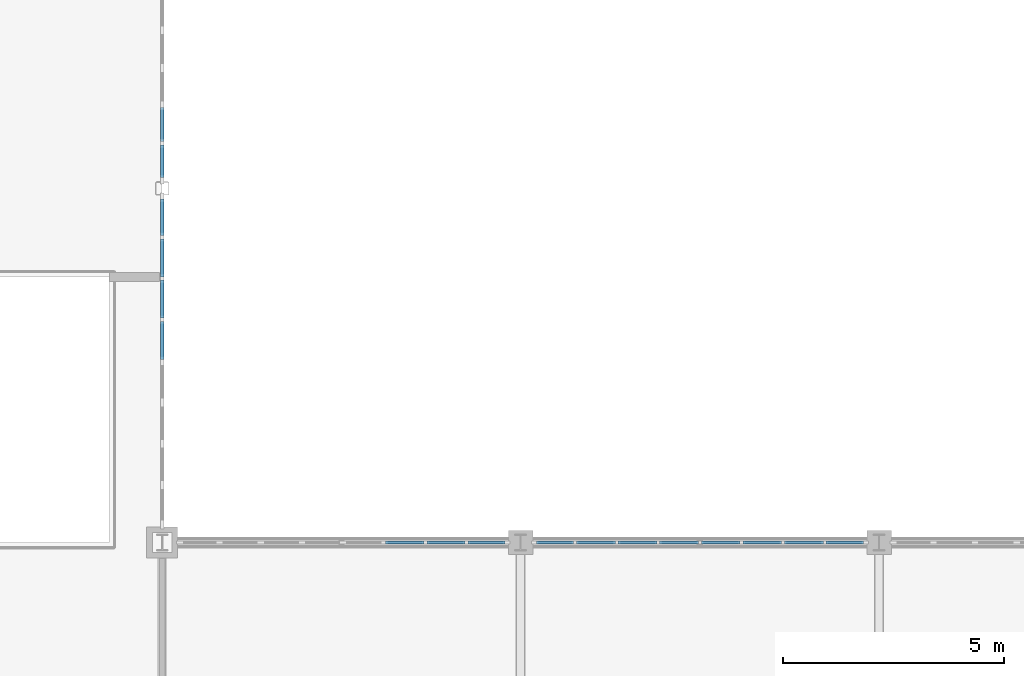
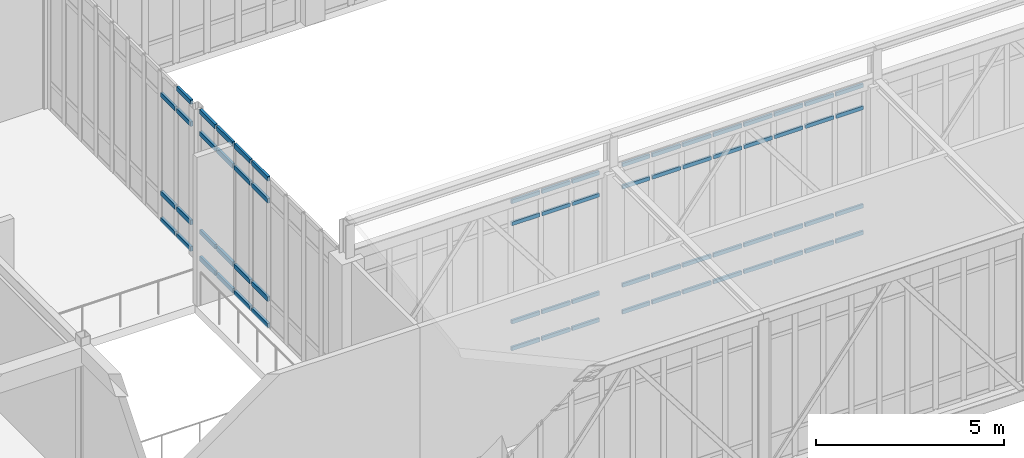
# One storey, part 54 of 107: 67 members, 4 elements without a shape of their own.
"""IFC4 building model written with IfcOpenShell, lengths in metres."""

from ifc_helpers import new_model, si_unit, direction, frame, origin, origin_2d, place, context, subcontext, project, spatial, rectangle, extrude, material, material_profile, profile_set, type_object, element, aggregate, save


model = new_model("IFC4")

# Units and contexts
model_context = context("Model", 3, precision=1e-05, world=origin(), true_north=direction((0.0, 1.0)))
body_context = subcontext(model_context, "Body", "Model", "MODEL_VIEW")
ifc_project = project(units=[si_unit("LENGTHUNIT", "METRE"), si_unit("AREAUNIT", "SQUARE_METRE"), si_unit("VOLUMEUNIT", "CUBIC_METRE"), si_unit("PLANEANGLEUNIT", "RADIAN"), si_unit("MASSUNIT", "GRAM", prefix="KILO")], contexts=[model_context])

# Site, building, storey
site_placement = place(None, origin())
site = spatial("IfcSite", under=ifc_project, at=site_placement, CompositionType="ELEMENT")
building_placement = place(site_placement, origin())
building = spatial("IfcBuilding", under=site, at=building_placement, Name="Tarnveldt Square Police Headquarters", CompositionType="ELEMENT")
storey_placement = place(building_placement, frame((0.0, 0.0, 14.699951171875)))
storey = spatial("IfcBuildingStorey", under=building, at=storey_placement, Name="L03", CompositionType="ELEMENT", Elevation=14.699951171875)

# Curtain wall, members
ifc_material_1 = material(Name="Triple-glazed low-e laminated vision glass", Category="glass")
curtain_wall_type_1 = type_object("IfcCurtainWallType", Name="CW-SB-744x484", PredefinedType="USERDEFINED", material=ifc_material_1)
curtain_wall_1_placement = place(storey_placement, origin())
curtain_wall_1 = element("IfcCurtainWall", 1, at=curtain_wall_1_placement, inside=storey, type_object=curtain_wall_type_1, Name="L03 Curtain Wall CW-L03-159", ObjectType="GLAZED CURTAIN WALL", PredefinedType="USERDEFINED")
ifc_material_2 = material(Name="Thermally broken anodised aluminium 6063-T6", Category="aluminium")
ifc_material_profile_1 = material_profile(ifc_material_2, rectangle(XDim=0.06494140625, YDim=0.1201171875, at=origin_2d()), Name="CW-T65x120")
ifc_profile_set_1 = profile_set([ifc_material_profile_1], Name="Thermally broken anodised aluminium 6063-T6")
member_type_1 = type_object("IfcMemberType", Name="CWT-65x120", PredefinedType="USERDEFINED", material=ifc_profile_set_1)
member_1_placement = place(storey_placement, frame((53.650634765625, 80.0, 0.032470703125), z_axis=(1.0, 0.0, 0.0), x_axis=(0.0, 1.0, 0.0)))
member_1 = element("IfcMember", 2, at=member_1_placement, type_object=member_type_1, Name="CW-SB94 transom 6.1", ObjectType="TRANSOM", PredefinedType="USERDEFINED", context=body_context, shape_type="SweptSolid", body=[
    extrude(rectangle(XDim=0.06494140625, YDim=0.1201171875, at=origin_2d()), origin(), (0.0, 0.0, 1.0), 0.86572265625),
])
member_2_placement = place(storey_placement, frame((53.650634765625, 80.0, 0.900146484375), z_axis=(1.0, 0.0, 0.0), x_axis=(0.0, 1.0, 0.0)))
member_2 = element("IfcMember", 3, at=member_2_placement, type_object=member_type_1, Name="CW-SB94 transom 6.2", ObjectType="TRANSOM", PredefinedType="USERDEFINED", context=body_context, shape_type="SweptSolid", body=[
    extrude(rectangle(XDim=0.06494140625, YDim=0.1201171875, at=origin_2d()), origin(), (0.0, 0.0, 1.0), 0.86572265625),
])
member_3_placement = place(storey_placement, frame((53.650634765625, 80.0, 4.090087890625), z_axis=(1.0, 0.0, 0.0), x_axis=(0.0, 1.0, 0.0)))
member_3 = element("IfcMember", 4, at=member_3_placement, type_object=member_type_1, Name="CW-SB94 transom 6.3", ObjectType="TRANSOM", PredefinedType="USERDEFINED", context=body_context, shape_type="SweptSolid", body=[
    extrude(rectangle(XDim=0.06494140625, YDim=0.1201171875, at=origin_2d()), origin(), (0.0, 0.0, 1.0), 0.86572265625),
])
member_4_placement = place(storey_placement, frame((53.650634765625, 80.0, 4.8076171875), z_axis=(1.0, 0.0, 0.0), x_axis=(0.0, 1.0, 0.0)))
member_4 = element("IfcMember", 5, at=member_4_placement, type_object=member_type_1, Name="CW-SB94 transom 6.4", ObjectType="TRANSOM", PredefinedType="USERDEFINED", context=body_context, shape_type="SweptSolid", body=[
    extrude(rectangle(XDim=0.06494140625, YDim=0.1201171875, at=origin_2d()), origin(), (0.0, 0.0, 1.0), 0.86572265625),
])
member_5_placement = place(storey_placement, frame((54.581298828125, 80.0, 0.032470703125), z_axis=(1.0, 0.0, 0.0), x_axis=(0.0, 1.0, 0.0)))
member_5 = element("IfcMember", 6, at=member_5_placement, type_object=member_type_1, Name="CW-SB94 transom 7.1", ObjectType="TRANSOM", PredefinedType="USERDEFINED", context=body_context, shape_type="SweptSolid", body=[
    extrude(rectangle(XDim=0.06494140625, YDim=0.1201171875, at=origin_2d()), origin(), (0.0, 0.0, 1.0), 0.865478515625),
])
member_6_placement = place(storey_placement, frame((54.581298828125, 80.0, 0.900146484375), z_axis=(1.0, 0.0, 0.0), x_axis=(0.0, 1.0, 0.0)))
member_6 = element("IfcMember", 7, at=member_6_placement, type_object=member_type_1, Name="CW-SB94 transom 7.2", ObjectType="TRANSOM", PredefinedType="USERDEFINED", context=body_context, shape_type="SweptSolid", body=[
    extrude(rectangle(XDim=0.06494140625, YDim=0.1201171875, at=origin_2d()), origin(), (0.0, 0.0, 1.0), 0.865478515625),
])
member_7_placement = place(storey_placement, frame((54.581298828125, 80.0, 4.090087890625), z_axis=(1.0, 0.0, 0.0), x_axis=(0.0, 1.0, 0.0)))
member_7 = element("IfcMember", 8, at=member_7_placement, type_object=member_type_1, Name="CW-SB94 transom 7.3", ObjectType="TRANSOM", PredefinedType="USERDEFINED", context=body_context, shape_type="SweptSolid", body=[
    extrude(rectangle(XDim=0.06494140625, YDim=0.1201171875, at=origin_2d()), origin(), (0.0, 0.0, 1.0), 0.865478515625),
])
member_8_placement = place(storey_placement, frame((54.581298828125, 80.0, 4.8076171875), z_axis=(1.0, 0.0, 0.0), x_axis=(0.0, 1.0, 0.0)))
member_8 = element("IfcMember", 9, at=member_8_placement, type_object=member_type_1, Name="CW-SB94 transom 7.4", ObjectType="TRANSOM", PredefinedType="USERDEFINED", context=body_context, shape_type="SweptSolid", body=[
    extrude(rectangle(XDim=0.06494140625, YDim=0.1201171875, at=origin_2d()), origin(), (0.0, 0.0, 1.0), 0.865478515625),
])
member_9_placement = place(storey_placement, frame((55.511962890625, 80.0, 0.032470703125), z_axis=(1.0, 0.0, 0.0), x_axis=(0.0, 1.0, 0.0)))
member_9 = element("IfcMember", 10, at=member_9_placement, type_object=member_type_1, Name="CW-SB94 transom 8.1", ObjectType="TRANSOM", PredefinedType="USERDEFINED", context=body_context, shape_type="SweptSolid", body=[
    extrude(rectangle(XDim=0.06494140625, YDim=0.1201171875, at=origin_2d()), origin(), (0.0, 0.0, 1.0), 0.8330078125),
])
member_10_placement = place(storey_placement, frame((55.511962890625, 80.0, 0.900146484375), z_axis=(1.0, 0.0, 0.0), x_axis=(0.0, 1.0, 0.0)))
member_10 = element("IfcMember", 11, at=member_10_placement, type_object=member_type_1, Name="CW-SB94 transom 8.2", ObjectType="TRANSOM", PredefinedType="USERDEFINED", context=body_context, shape_type="SweptSolid", body=[
    extrude(rectangle(XDim=0.06494140625, YDim=0.1201171875, at=origin_2d()), origin(), (0.0, 0.0, 1.0), 0.8330078125),
])
member_11_placement = place(storey_placement, frame((55.511962890625, 80.0, 4.090087890625), z_axis=(1.0, 0.0, 0.0), x_axis=(0.0, 1.0, 0.0)))
member_11 = element("IfcMember", 12, at=member_11_placement, type_object=member_type_1, Name="CW-SB94 transom 8.3", ObjectType="TRANSOM", PredefinedType="USERDEFINED", context=body_context, shape_type="SweptSolid", body=[
    extrude(rectangle(XDim=0.06494140625, YDim=0.1201171875, at=origin_2d()), origin(), (0.0, 0.0, 1.0), 0.8330078125),
])
member_12_placement = place(storey_placement, frame((55.511962890625, 80.0, 4.8076171875), z_axis=(1.0, 0.0, 0.0), x_axis=(0.0, 1.0, 0.0)))
member_12 = element("IfcMember", 13, at=member_12_placement, type_object=member_type_1, Name="CW-SB94 transom 8.4", ObjectType="TRANSOM", PredefinedType="USERDEFINED", context=body_context, shape_type="SweptSolid", body=[
    extrude(rectangle(XDim=0.06494140625, YDim=0.1201171875, at=origin_2d()), origin(), (0.0, 0.0, 1.0), 0.8330078125),
])
aggregate(curtain_wall_1, [member_1, member_2, member_3, member_4, member_5, member_6, member_7, member_8, member_9, member_10, member_11, member_12])

curtain_wall_type_2 = type_object("IfcCurtainWallType", Name="CW-SB-752x484", PredefinedType="USERDEFINED", material=ifc_material_1)
curtain_wall_2_placement = place(storey_placement, origin())
curtain_wall_2 = element("IfcCurtainWall", 14, at=curtain_wall_2_placement, inside=storey, type_object=curtain_wall_type_2, Name="L03 Curtain Wall CW-L03-160", ObjectType="GLAZED CURTAIN WALL", PredefinedType="USERDEFINED")
member_13_placement = place(storey_placement, frame((57.054931640625, 80.0, 0.032470703125), z_axis=(1.0, 0.0, 0.0), x_axis=(0.0, 1.0, 0.0)))
member_13 = element("IfcMember", 15, at=member_13_placement, type_object=member_type_1, Name="CW-SB95 transom 1.1", ObjectType="TRANSOM", PredefinedType="USERDEFINED", context=body_context, shape_type="SweptSolid", body=[
    extrude(rectangle(XDim=0.06494140625, YDim=0.1201171875, at=origin_2d()), origin(), (0.0, 0.0, 1.0), 0.842529296875),
])
member_14_placement = place(storey_placement, frame((57.054931640625, 80.0, 0.900146484375), z_axis=(1.0, 0.0, 0.0), x_axis=(0.0, 1.0, 0.0)))
member_14 = element("IfcMember", 16, at=member_14_placement, type_object=member_type_1, Name="CW-SB95 transom 1.2", ObjectType="TRANSOM", PredefinedType="USERDEFINED", context=body_context, shape_type="SweptSolid", body=[
    extrude(rectangle(XDim=0.06494140625, YDim=0.1201171875, at=origin_2d()), origin(), (0.0, 0.0, 1.0), 0.842529296875),
])
member_15_placement = place(storey_placement, frame((57.054931640625, 80.0, 4.090087890625), z_axis=(1.0, 0.0, 0.0), x_axis=(0.0, 1.0, 0.0)))
member_15 = element("IfcMember", 17, at=member_15_placement, type_object=member_type_1, Name="CW-SB95 transom 1.3", ObjectType="TRANSOM", PredefinedType="USERDEFINED", context=body_context, shape_type="SweptSolid", body=[
    extrude(rectangle(XDim=0.06494140625, YDim=0.1201171875, at=origin_2d()), origin(), (0.0, 0.0, 1.0), 0.842529296875),
])
member_16_placement = place(storey_placement, frame((57.054931640625, 80.0, 4.8076171875), z_axis=(1.0, 0.0, 0.0), x_axis=(0.0, 1.0, 0.0)))
member_16 = element("IfcMember", 18, at=member_16_placement, type_object=member_type_1, Name="CW-SB95 transom 1.4", ObjectType="TRANSOM", PredefinedType="USERDEFINED", context=body_context, shape_type="SweptSolid", body=[
    extrude(rectangle(XDim=0.06494140625, YDim=0.1201171875, at=origin_2d()), origin(), (0.0, 0.0, 1.0), 0.842529296875),
])
member_17_placement = place(storey_placement, frame((57.96240234375, 80.0, 0.032470703125), z_axis=(1.0, 0.0, 0.0), x_axis=(0.0, 1.0, 0.0)))
member_17 = element("IfcMember", 19, at=member_17_placement, type_object=member_type_1, Name="CW-SB95 transom 2.1", ObjectType="TRANSOM", PredefinedType="USERDEFINED", context=body_context, shape_type="SweptSolid", body=[
    extrude(rectangle(XDim=0.06494140625, YDim=0.1201171875, at=origin_2d()), origin(), (0.0, 0.0, 1.0), 0.875),
])
member_18_placement = place(storey_placement, frame((57.96240234375, 80.0, 0.900146484375), z_axis=(1.0, 0.0, 0.0), x_axis=(0.0, 1.0, 0.0)))
member_18 = element("IfcMember", 20, at=member_18_placement, type_object=member_type_1, Name="CW-SB95 transom 2.2", ObjectType="TRANSOM", PredefinedType="USERDEFINED", context=body_context, shape_type="SweptSolid", body=[
    extrude(rectangle(XDim=0.06494140625, YDim=0.1201171875, at=origin_2d()), origin(), (0.0, 0.0, 1.0), 0.875),
])
member_19_placement = place(storey_placement, frame((57.96240234375, 80.0, 4.090087890625), z_axis=(1.0, 0.0, 0.0), x_axis=(0.0, 1.0, 0.0)))
member_19 = element("IfcMember", 21, at=member_19_placement, type_object=member_type_1, Name="CW-SB95 transom 2.3", ObjectType="TRANSOM", PredefinedType="USERDEFINED", context=body_context, shape_type="SweptSolid", body=[
    extrude(rectangle(XDim=0.06494140625, YDim=0.1201171875, at=origin_2d()), origin(), (0.0, 0.0, 1.0), 0.875),
])
member_20_placement = place(storey_placement, frame((57.96240234375, 80.0, 4.8076171875), z_axis=(1.0, 0.0, 0.0), x_axis=(0.0, 1.0, 0.0)))
member_20 = element("IfcMember", 22, at=member_20_placement, type_object=member_type_1, Name="CW-SB95 transom 2.4", ObjectType="TRANSOM", PredefinedType="USERDEFINED", context=body_context, shape_type="SweptSolid", body=[
    extrude(rectangle(XDim=0.06494140625, YDim=0.1201171875, at=origin_2d()), origin(), (0.0, 0.0, 1.0), 0.875),
])
member_21_placement = place(storey_placement, frame((58.902587890625, 80.0, 0.032470703125), z_axis=(1.0, 0.0, 0.0), x_axis=(0.0, 1.0, 0.0)))
member_21 = element("IfcMember", 23, at=member_21_placement, type_object=member_type_1, Name="CW-SB95 transom 3.1", ObjectType="TRANSOM", PredefinedType="USERDEFINED", context=body_context, shape_type="SweptSolid", body=[
    extrude(rectangle(XDim=0.06494140625, YDim=0.1201171875, at=origin_2d()), origin(), (0.0, 0.0, 1.0), 0.875),
])
member_22_placement = place(storey_placement, frame((58.902587890625, 80.0, 0.900146484375), z_axis=(1.0, 0.0, 0.0), x_axis=(0.0, 1.0, 0.0)))
member_22 = element("IfcMember", 24, at=member_22_placement, type_object=member_type_1, Name="CW-SB95 transom 3.2", ObjectType="TRANSOM", PredefinedType="USERDEFINED", context=body_context, shape_type="SweptSolid", body=[
    extrude(rectangle(XDim=0.06494140625, YDim=0.1201171875, at=origin_2d()), origin(), (0.0, 0.0, 1.0), 0.875),
])
member_23_placement = place(storey_placement, frame((58.902587890625, 80.0, 4.090087890625), z_axis=(1.0, 0.0, 0.0), x_axis=(0.0, 1.0, 0.0)))
member_23 = element("IfcMember", 25, at=member_23_placement, type_object=member_type_1, Name="CW-SB95 transom 3.3", ObjectType="TRANSOM", PredefinedType="USERDEFINED", context=body_context, shape_type="SweptSolid", body=[
    extrude(rectangle(XDim=0.06494140625, YDim=0.1201171875, at=origin_2d()), origin(), (0.0, 0.0, 1.0), 0.875),
])
member_24_placement = place(storey_placement, frame((58.902587890625, 80.0, 4.8076171875), z_axis=(1.0, 0.0, 0.0), x_axis=(0.0, 1.0, 0.0)))
member_24 = element("IfcMember", 26, at=member_24_placement, type_object=member_type_1, Name="CW-SB95 transom 3.4", ObjectType="TRANSOM", PredefinedType="USERDEFINED", context=body_context, shape_type="SweptSolid", body=[
    extrude(rectangle(XDim=0.06494140625, YDim=0.1201171875, at=origin_2d()), origin(), (0.0, 0.0, 1.0), 0.875),
])
member_25_placement = place(storey_placement, frame((59.842529296875, 80.0, 0.032470703125), z_axis=(1.0, 0.0, 0.0), x_axis=(0.0, 1.0, 0.0)))
member_25 = element("IfcMember", 27, at=member_25_placement, type_object=member_type_1, Name="CW-SB95 transom 4.1", ObjectType="TRANSOM", PredefinedType="USERDEFINED", context=body_context, shape_type="SweptSolid", body=[
    extrude(rectangle(XDim=0.06494140625, YDim=0.1201171875, at=origin_2d()), origin(), (0.0, 0.0, 1.0), 0.875),
])
member_26_placement = place(storey_placement, frame((59.842529296875, 80.0, 0.900146484375), z_axis=(1.0, 0.0, 0.0), x_axis=(0.0, 1.0, 0.0)))
member_26 = element("IfcMember", 28, at=member_26_placement, type_object=member_type_1, Name="CW-SB95 transom 4.2", ObjectType="TRANSOM", PredefinedType="USERDEFINED", context=body_context, shape_type="SweptSolid", body=[
    extrude(rectangle(XDim=0.06494140625, YDim=0.1201171875, at=origin_2d()), origin(), (0.0, 0.0, 1.0), 0.875),
])
member_27_placement = place(storey_placement, frame((59.842529296875, 80.0, 4.090087890625), z_axis=(1.0, 0.0, 0.0), x_axis=(0.0, 1.0, 0.0)))
member_27 = element("IfcMember", 29, at=member_27_placement, type_object=member_type_1, Name="CW-SB95 transom 4.3", ObjectType="TRANSOM", PredefinedType="USERDEFINED", context=body_context, shape_type="SweptSolid", body=[
    extrude(rectangle(XDim=0.06494140625, YDim=0.1201171875, at=origin_2d()), origin(), (0.0, 0.0, 1.0), 0.875),
])
member_28_placement = place(storey_placement, frame((59.842529296875, 80.0, 4.8076171875), z_axis=(1.0, 0.0, 0.0), x_axis=(0.0, 1.0, 0.0)))
member_28 = element("IfcMember", 30, at=member_28_placement, type_object=member_type_1, Name="CW-SB95 transom 4.4", ObjectType="TRANSOM", PredefinedType="USERDEFINED", context=body_context, shape_type="SweptSolid", body=[
    extrude(rectangle(XDim=0.06494140625, YDim=0.1201171875, at=origin_2d()), origin(), (0.0, 0.0, 1.0), 0.875),
])
member_29_placement = place(storey_placement, frame((60.782470703125, 80.0, 0.032470703125), z_axis=(1.0, 0.0, 0.0), x_axis=(0.0, 1.0, 0.0)))
member_29 = element("IfcMember", 31, at=member_29_placement, type_object=member_type_1, Name="CW-SB95 transom 5.1", ObjectType="TRANSOM", PredefinedType="USERDEFINED", context=body_context, shape_type="SweptSolid", body=[
    extrude(rectangle(XDim=0.06494140625, YDim=0.1201171875, at=origin_2d()), origin(), (0.0, 0.0, 1.0), 0.875),
])
member_30_placement = place(storey_placement, frame((60.782470703125, 80.0, 0.900146484375), z_axis=(1.0, 0.0, 0.0), x_axis=(0.0, 1.0, 0.0)))
member_30 = element("IfcMember", 32, at=member_30_placement, type_object=member_type_1, Name="CW-SB95 transom 5.2", ObjectType="TRANSOM", PredefinedType="USERDEFINED", context=body_context, shape_type="SweptSolid", body=[
    extrude(rectangle(XDim=0.06494140625, YDim=0.1201171875, at=origin_2d()), origin(), (0.0, 0.0, 1.0), 0.875),
])
member_31_placement = place(storey_placement, frame((60.782470703125, 80.0, 4.090087890625), z_axis=(1.0, 0.0, 0.0), x_axis=(0.0, 1.0, 0.0)))
member_31 = element("IfcMember", 33, at=member_31_placement, type_object=member_type_1, Name="CW-SB95 transom 5.3", ObjectType="TRANSOM", PredefinedType="USERDEFINED", context=body_context, shape_type="SweptSolid", body=[
    extrude(rectangle(XDim=0.06494140625, YDim=0.1201171875, at=origin_2d()), origin(), (0.0, 0.0, 1.0), 0.875),
])
member_32_placement = place(storey_placement, frame((60.782470703125, 80.0, 4.8076171875), z_axis=(1.0, 0.0, 0.0), x_axis=(0.0, 1.0, 0.0)))
member_32 = element("IfcMember", 34, at=member_32_placement, type_object=member_type_1, Name="CW-SB95 transom 5.4", ObjectType="TRANSOM", PredefinedType="USERDEFINED", context=body_context, shape_type="SweptSolid", body=[
    extrude(rectangle(XDim=0.06494140625, YDim=0.1201171875, at=origin_2d()), origin(), (0.0, 0.0, 1.0), 0.875),
])
member_33_placement = place(storey_placement, frame((61.722412109375, 80.0, 0.032470703125), z_axis=(1.0, 0.0, 0.0), x_axis=(0.0, 1.0, 0.0)))
member_33 = element("IfcMember", 35, at=member_33_placement, type_object=member_type_1, Name="CW-SB95 transom 6.1", ObjectType="TRANSOM", PredefinedType="USERDEFINED", context=body_context, shape_type="SweptSolid", body=[
    extrude(rectangle(XDim=0.06494140625, YDim=0.1201171875, at=origin_2d()), origin(), (0.0, 0.0, 1.0), 0.875),
])
member_34_placement = place(storey_placement, frame((61.722412109375, 80.0, 0.900146484375), z_axis=(1.0, 0.0, 0.0), x_axis=(0.0, 1.0, 0.0)))
member_34 = element("IfcMember", 36, at=member_34_placement, type_object=member_type_1, Name="CW-SB95 transom 6.2", ObjectType="TRANSOM", PredefinedType="USERDEFINED", context=body_context, shape_type="SweptSolid", body=[
    extrude(rectangle(XDim=0.06494140625, YDim=0.1201171875, at=origin_2d()), origin(), (0.0, 0.0, 1.0), 0.875),
])
member_35_placement = place(storey_placement, frame((61.722412109375, 80.0, 4.090087890625), z_axis=(1.0, 0.0, 0.0), x_axis=(0.0, 1.0, 0.0)))
member_35 = element("IfcMember", 37, at=member_35_placement, type_object=member_type_1, Name="CW-SB95 transom 6.3", ObjectType="TRANSOM", PredefinedType="USERDEFINED", context=body_context, shape_type="SweptSolid", body=[
    extrude(rectangle(XDim=0.06494140625, YDim=0.1201171875, at=origin_2d()), origin(), (0.0, 0.0, 1.0), 0.875),
])
member_36_placement = place(storey_placement, frame((61.722412109375, 80.0, 4.8076171875), z_axis=(1.0, 0.0, 0.0), x_axis=(0.0, 1.0, 0.0)))
member_36 = element("IfcMember", 38, at=member_36_placement, type_object=member_type_1, Name="CW-SB95 transom 6.4", ObjectType="TRANSOM", PredefinedType="USERDEFINED", context=body_context, shape_type="SweptSolid", body=[
    extrude(rectangle(XDim=0.06494140625, YDim=0.1201171875, at=origin_2d()), origin(), (0.0, 0.0, 1.0), 0.875),
])
member_37_placement = place(storey_placement, frame((62.66259765625, 80.0, 0.032470703125), z_axis=(1.0, 0.0, 0.0), x_axis=(0.0, 1.0, 0.0)))
member_37 = element("IfcMember", 39, at=member_37_placement, type_object=member_type_1, Name="CW-SB95 transom 7.1", ObjectType="TRANSOM", PredefinedType="USERDEFINED", context=body_context, shape_type="SweptSolid", body=[
    extrude(rectangle(XDim=0.06494140625, YDim=0.1201171875, at=origin_2d()), origin(), (0.0, 0.0, 1.0), 0.875),
])
member_38_placement = place(storey_placement, frame((62.66259765625, 80.0, 0.900146484375), z_axis=(1.0, 0.0, 0.0), x_axis=(0.0, 1.0, 0.0)))
member_38 = element("IfcMember", 40, at=member_38_placement, type_object=member_type_1, Name="CW-SB95 transom 7.2", ObjectType="TRANSOM", PredefinedType="USERDEFINED", context=body_context, shape_type="SweptSolid", body=[
    extrude(rectangle(XDim=0.06494140625, YDim=0.1201171875, at=origin_2d()), origin(), (0.0, 0.0, 1.0), 0.875),
])
member_39_placement = place(storey_placement, frame((62.66259765625, 80.0, 4.090087890625), z_axis=(1.0, 0.0, 0.0), x_axis=(0.0, 1.0, 0.0)))
member_39 = element("IfcMember", 41, at=member_39_placement, type_object=member_type_1, Name="CW-SB95 transom 7.3", ObjectType="TRANSOM", PredefinedType="USERDEFINED", context=body_context, shape_type="SweptSolid", body=[
    extrude(rectangle(XDim=0.06494140625, YDim=0.1201171875, at=origin_2d()), origin(), (0.0, 0.0, 1.0), 0.875),
])
member_40_placement = place(storey_placement, frame((62.66259765625, 80.0, 4.8076171875), z_axis=(1.0, 0.0, 0.0), x_axis=(0.0, 1.0, 0.0)))
member_40 = element("IfcMember", 42, at=member_40_placement, type_object=member_type_1, Name="CW-SB95 transom 7.4", ObjectType="TRANSOM", PredefinedType="USERDEFINED", context=body_context, shape_type="SweptSolid", body=[
    extrude(rectangle(XDim=0.06494140625, YDim=0.1201171875, at=origin_2d()), origin(), (0.0, 0.0, 1.0), 0.875),
])
member_41_placement = place(storey_placement, frame((63.6025390625, 80.0, 0.032470703125), z_axis=(1.0, 0.0, 0.0), x_axis=(0.0, 1.0, 0.0)))
member_41 = element("IfcMember", 43, at=member_41_placement, type_object=member_type_1, Name="CW-SB95 transom 8.1", ObjectType="TRANSOM", PredefinedType="USERDEFINED", context=body_context, shape_type="SweptSolid", body=[
    extrude(rectangle(XDim=0.06494140625, YDim=0.1201171875, at=origin_2d()), origin(), (0.0, 0.0, 1.0), 0.842529296875),
])
member_42_placement = place(storey_placement, frame((63.6025390625, 80.0, 0.900146484375), z_axis=(1.0, 0.0, 0.0), x_axis=(0.0, 1.0, 0.0)))
member_42 = element("IfcMember", 44, at=member_42_placement, type_object=member_type_1, Name="CW-SB95 transom 8.2", ObjectType="TRANSOM", PredefinedType="USERDEFINED", context=body_context, shape_type="SweptSolid", body=[
    extrude(rectangle(XDim=0.06494140625, YDim=0.1201171875, at=origin_2d()), origin(), (0.0, 0.0, 1.0), 0.842529296875),
])
member_43_placement = place(storey_placement, frame((63.6025390625, 80.0, 4.090087890625), z_axis=(1.0, 0.0, 0.0), x_axis=(0.0, 1.0, 0.0)))
member_43 = element("IfcMember", 45, at=member_43_placement, type_object=member_type_1, Name="CW-SB95 transom 8.3", ObjectType="TRANSOM", PredefinedType="USERDEFINED", context=body_context, shape_type="SweptSolid", body=[
    extrude(rectangle(XDim=0.06494140625, YDim=0.1201171875, at=origin_2d()), origin(), (0.0, 0.0, 1.0), 0.842529296875),
])
member_44_placement = place(storey_placement, frame((63.6025390625, 80.0, 4.8076171875), z_axis=(1.0, 0.0, 0.0), x_axis=(0.0, 1.0, 0.0)))
member_44 = element("IfcMember", 46, at=member_44_placement, type_object=member_type_1, Name="CW-SB95 transom 8.4", ObjectType="TRANSOM", PredefinedType="USERDEFINED", context=body_context, shape_type="SweptSolid", body=[
    extrude(rectangle(XDim=0.06494140625, YDim=0.1201171875, at=origin_2d()), origin(), (0.0, 0.0, 1.0), 0.842529296875),
])
aggregate(curtain_wall_2, [member_13, member_14, member_15, member_16, member_17, member_18, member_19, member_20, member_21, member_22, member_23, member_24, member_25, member_26, member_27, member_28, member_29, member_30, member_31, member_32, member_33, member_34, member_35, member_36, member_37, member_38, member_39, member_40, member_41, member_42, member_43, member_44])

curtain_wall_type_3 = type_object("IfcCurtainWallType", Name="CW-WG-747x484", PredefinedType="USERDEFINED", material=ifc_material_1)
curtain_wall_3_placement = place(storey_placement, origin())
curtain_wall_3 = element("IfcCurtainWall", 47, at=curtain_wall_3_placement, inside=storey, type_object=curtain_wall_type_3, Name="L03 Curtain Wall CW-L03-081", ObjectType="GLAZED CURTAIN WALL", PredefinedType="USERDEFINED")
ifc_material_profile_2 = material_profile(ifc_material_2, rectangle(XDim=0.074951171875, YDim=0.14990234375, at=origin_2d()), Name="CW-T75x150")
ifc_profile_set_2 = profile_set([ifc_material_profile_2], Name="Thermally broken anodised aluminium 6063-T6")
member_type_2 = type_object("IfcMemberType", Name="CWT-75x150", PredefinedType="USERDEFINED", material=ifc_profile_set_2)
member_45_placement = place(storey_placement, frame((48.60009765625, 84.13623046875, 0.03759765625), z_axis=(0.0, 1.0, 0.0), x_axis=(-1.0, 0.0, 0.0)))
member_45 = element("IfcMember", 48, at=member_45_placement, type_object=member_type_2, Name="CW-WG38 transom 5.1", ObjectType="TRANSOM", PredefinedType="USERDEFINED", context=body_context, shape_type="SweptSolid", body=[
    extrude(rectangle(XDim=0.074951171875, YDim=0.14990234375, at=origin_2d()), origin(), (0.0, 0.0, 1.0), 0.8583984375),
])
member_46_placement = place(storey_placement, frame((48.60009765625, 84.13623046875, 0.900146484375), z_axis=(0.0, 1.0, 0.0), x_axis=(-1.0, 0.0, 0.0)))
member_46 = element("IfcMember", 49, at=member_46_placement, type_object=member_type_2, Name="CW-WG38 transom 5.2", ObjectType="TRANSOM", PredefinedType="USERDEFINED", context=body_context, shape_type="SweptSolid", body=[
    extrude(rectangle(XDim=0.074951171875, YDim=0.14990234375, at=origin_2d()), origin(), (0.0, 0.0, 1.0), 0.8583984375),
])
member_47_placement = place(storey_placement, frame((48.60009765625, 84.13623046875, 4.090087890625), z_axis=(0.0, 1.0, 0.0), x_axis=(-1.0, 0.0, 0.0)))
member_47 = element("IfcMember", 50, at=member_47_placement, type_object=member_type_2, Name="CW-WG38 transom 5.3", ObjectType="TRANSOM", PredefinedType="USERDEFINED", context=body_context, shape_type="SweptSolid", body=[
    extrude(rectangle(XDim=0.074951171875, YDim=0.14990234375, at=origin_2d()), origin(), (0.0, 0.0, 1.0), 0.8583984375),
])
member_48_placement = place(storey_placement, frame((48.60009765625, 84.13623046875, 4.802490234375), z_axis=(0.0, 1.0, 0.0), x_axis=(-1.0, 0.0, 0.0)))
member_48 = element("IfcMember", 51, at=member_48_placement, type_object=member_type_2, Name="CW-WG38 transom 5.4", ObjectType="TRANSOM", PredefinedType="USERDEFINED", context=body_context, shape_type="SweptSolid", body=[
    extrude(rectangle(XDim=0.074951171875, YDim=0.14990234375, at=origin_2d()), origin(), (0.0, 0.0, 1.0), 0.8583984375),
])
member_49_placement = place(storey_placement, frame((48.60009765625, 85.06982421875, 0.03759765625), z_axis=(0.0, 1.0, 0.0), x_axis=(-1.0, 0.0, 0.0)))
member_49 = element("IfcMember", 52, at=member_49_placement, type_object=member_type_2, Name="CW-WG38 transom 6.1", ObjectType="TRANSOM", PredefinedType="USERDEFINED", context=body_context, shape_type="SweptSolid", body=[
    extrude(rectangle(XDim=0.074951171875, YDim=0.14990234375, at=origin_2d()), origin(), (0.0, 0.0, 1.0), 0.8583984375),
])
member_50_placement = place(storey_placement, frame((48.60009765625, 85.06982421875, 0.900146484375), z_axis=(0.0, 1.0, 0.0), x_axis=(-1.0, 0.0, 0.0)))
member_50 = element("IfcMember", 53, at=member_50_placement, type_object=member_type_2, Name="CW-WG38 transom 6.2", ObjectType="TRANSOM", PredefinedType="USERDEFINED", context=body_context, shape_type="SweptSolid", body=[
    extrude(rectangle(XDim=0.074951171875, YDim=0.14990234375, at=origin_2d()), origin(), (0.0, 0.0, 1.0), 0.8583984375),
])
member_51_placement = place(storey_placement, frame((48.60009765625, 85.06982421875, 4.090087890625), z_axis=(0.0, 1.0, 0.0), x_axis=(-1.0, 0.0, 0.0)))
member_51 = element("IfcMember", 54, at=member_51_placement, type_object=member_type_2, Name="CW-WG38 transom 6.3", ObjectType="TRANSOM", PredefinedType="USERDEFINED", context=body_context, shape_type="SweptSolid", body=[
    extrude(rectangle(XDim=0.074951171875, YDim=0.14990234375, at=origin_2d()), origin(), (0.0, 0.0, 1.0), 0.8583984375),
])
member_52_placement = place(storey_placement, frame((48.60009765625, 85.06982421875, 4.802490234375), z_axis=(0.0, 1.0, 0.0), x_axis=(-1.0, 0.0, 0.0)))
member_52 = element("IfcMember", 55, at=member_52_placement, type_object=member_type_2, Name="CW-WG38 transom 6.4", ObjectType="TRANSOM", PredefinedType="USERDEFINED", context=body_context, shape_type="SweptSolid", body=[
    extrude(rectangle(XDim=0.074951171875, YDim=0.14990234375, at=origin_2d()), origin(), (0.0, 0.0, 1.0), 0.8583984375),
])
member_53_placement = place(storey_placement, frame((48.60009765625, 86.003173828125, 0.03759765625), z_axis=(0.0, 1.0, 0.0), x_axis=(-1.0, 0.0, 0.0)))
member_53 = element("IfcMember", 56, at=member_53_placement, type_object=member_type_2, Name="CW-WG38 transom 7.1", ObjectType="TRANSOM", PredefinedType="USERDEFINED", context=body_context, shape_type="SweptSolid", body=[
    extrude(rectangle(XDim=0.074951171875, YDim=0.14990234375, at=origin_2d()), origin(), (0.0, 0.0, 1.0), 0.8583984375),
])
member_54_placement = place(storey_placement, frame((48.60009765625, 86.003173828125, 0.900146484375), z_axis=(0.0, 1.0, 0.0), x_axis=(-1.0, 0.0, 0.0)))
member_54 = element("IfcMember", 57, at=member_54_placement, type_object=member_type_2, Name="CW-WG38 transom 7.2", ObjectType="TRANSOM", PredefinedType="USERDEFINED", context=body_context, shape_type="SweptSolid", body=[
    extrude(rectangle(XDim=0.074951171875, YDim=0.14990234375, at=origin_2d()), origin(), (0.0, 0.0, 1.0), 0.8583984375),
])
member_55_placement = place(storey_placement, frame((48.60009765625, 86.003173828125, 4.090087890625), z_axis=(0.0, 1.0, 0.0), x_axis=(-1.0, 0.0, 0.0)))
member_55 = element("IfcMember", 58, at=member_55_placement, type_object=member_type_2, Name="CW-WG38 transom 7.3", ObjectType="TRANSOM", PredefinedType="USERDEFINED", context=body_context, shape_type="SweptSolid", body=[
    extrude(rectangle(XDim=0.074951171875, YDim=0.14990234375, at=origin_2d()), origin(), (0.0, 0.0, 1.0), 0.8583984375),
])
member_56_placement = place(storey_placement, frame((48.60009765625, 86.003173828125, 4.802490234375), z_axis=(0.0, 1.0, 0.0), x_axis=(-1.0, 0.0, 0.0)))
member_56 = element("IfcMember", 59, at=member_56_placement, type_object=member_type_2, Name="CW-WG38 transom 7.4", ObjectType="TRANSOM", PredefinedType="USERDEFINED", context=body_context, shape_type="SweptSolid", body=[
    extrude(rectangle(XDim=0.074951171875, YDim=0.14990234375, at=origin_2d()), origin(), (0.0, 0.0, 1.0), 0.8583984375),
])
member_57_placement = place(storey_placement, frame((48.60009765625, 86.936767578125, 0.03759765625), z_axis=(0.0, 1.0, 0.0), x_axis=(-1.0, 0.0, 0.0)))
member_57 = element("IfcMember", 60, at=member_57_placement, type_object=member_type_2, Name="CW-WG38 transom 8.1", ObjectType="TRANSOM", PredefinedType="USERDEFINED", context=body_context, shape_type="SweptSolid", body=[
    extrude(rectangle(XDim=0.074951171875, YDim=0.14990234375, at=origin_2d()), origin(), (0.0, 0.0, 1.0), 0.82080078125),
])
member_58_placement = place(storey_placement, frame((48.60009765625, 86.936767578125, 0.900146484375), z_axis=(0.0, 1.0, 0.0), x_axis=(-1.0, 0.0, 0.0)))
member_58 = element("IfcMember", 61, at=member_58_placement, type_object=member_type_2, Name="CW-WG38 transom 8.2", ObjectType="TRANSOM", PredefinedType="USERDEFINED", context=body_context, shape_type="SweptSolid", body=[
    extrude(rectangle(XDim=0.074951171875, YDim=0.14990234375, at=origin_2d()), origin(), (0.0, 0.0, 1.0), 0.82080078125),
])
member_59_placement = place(storey_placement, frame((48.60009765625, 86.936767578125, 4.090087890625), z_axis=(0.0, 1.0, 0.0), x_axis=(-1.0, 0.0, 0.0)))
member_59 = element("IfcMember", 62, at=member_59_placement, type_object=member_type_2, Name="CW-WG38 transom 8.3", ObjectType="TRANSOM", PredefinedType="USERDEFINED", context=body_context, shape_type="SweptSolid", body=[
    extrude(rectangle(XDim=0.074951171875, YDim=0.14990234375, at=origin_2d()), origin(), (0.0, 0.0, 1.0), 0.82080078125),
])
member_60_placement = place(storey_placement, frame((48.60009765625, 86.936767578125, 4.802490234375), z_axis=(0.0, 1.0, 0.0), x_axis=(-1.0, 0.0, 0.0)))
member_60 = element("IfcMember", 63, at=member_60_placement, type_object=member_type_2, Name="CW-WG38 transom 8.4", ObjectType="TRANSOM", PredefinedType="USERDEFINED", context=body_context, shape_type="SweptSolid", body=[
    extrude(rectangle(XDim=0.074951171875, YDim=0.14990234375, at=origin_2d()), origin(), (0.0, 0.0, 1.0), 0.82080078125),
])
aggregate(curtain_wall_3, [member_45, member_46, member_47, member_48, member_49, member_50, member_51, member_52, member_53, member_54, member_55, member_56, member_57, member_58, member_59, member_60])

curtain_wall_type_4 = type_object("IfcCurtainWallType", Name="CW-WG-767x484", PredefinedType="USERDEFINED", material=ifc_material_1)
curtain_wall_4_placement = place(storey_placement, origin())
curtain_wall_4 = element("IfcCurtainWall", 64, at=curtain_wall_4_placement, inside=storey, type_object=curtain_wall_type_4, Name="L03 Curtain Wall CW-L03-082", ObjectType="GLAZED CURTAIN WALL", PredefinedType="USERDEFINED")
member_61_placement = place(storey_placement, frame((48.60009765625, 88.242431640625, 0.03759765625), z_axis=(0.0, 1.0, 0.0), x_axis=(-1.0, 0.0, 0.0)))
member_61 = element("IfcMember", 65, at=member_61_placement, type_object=member_type_2, Name="CW-WG40 transom 1.1", ObjectType="TRANSOM", PredefinedType="USERDEFINED", context=body_context, shape_type="SweptSolid", body=[
    extrude(rectangle(XDim=0.074951171875, YDim=0.14990234375, at=origin_2d()), origin(), (0.0, 0.0, 1.0), 0.7392578125),
])
member_62_placement = place(storey_placement, frame((48.60009765625, 88.242431640625, 0.900146484375), z_axis=(0.0, 1.0, 0.0), x_axis=(-1.0, 0.0, 0.0)))
member_62 = element("IfcMember", 66, at=member_62_placement, type_object=member_type_2, Name="CW-WG40 transom 1.2", ObjectType="TRANSOM", PredefinedType="USERDEFINED", context=body_context, shape_type="SweptSolid", body=[
    extrude(rectangle(XDim=0.074951171875, YDim=0.14990234375, at=origin_2d()), origin(), (0.0, 0.0, 1.0), 0.7392578125),
])
member_63_placement = place(storey_placement, frame((48.60009765625, 88.242431640625, 4.090087890625), z_axis=(0.0, 1.0, 0.0), x_axis=(-1.0, 0.0, 0.0)))
member_63 = element("IfcMember", 67, at=member_63_placement, type_object=member_type_2, Name="CW-WG40 transom 1.3", ObjectType="TRANSOM", PredefinedType="USERDEFINED", context=body_context, shape_type="SweptSolid", body=[
    extrude(rectangle(XDim=0.074951171875, YDim=0.14990234375, at=origin_2d()), origin(), (0.0, 0.0, 1.0), 0.7392578125),
])
member_64_placement = place(storey_placement, frame((48.60009765625, 88.242431640625, 4.802490234375), z_axis=(0.0, 1.0, 0.0), x_axis=(-1.0, 0.0, 0.0)))
member_64 = element("IfcMember", 68, at=member_64_placement, type_object=member_type_2, Name="CW-WG40 transom 1.4", ObjectType="TRANSOM", PredefinedType="USERDEFINED", context=body_context, shape_type="SweptSolid", body=[
    extrude(rectangle(XDim=0.074951171875, YDim=0.14990234375, at=origin_2d()), origin(), (0.0, 0.0, 1.0), 0.7392578125),
])
member_65_placement = place(storey_placement, frame((48.60009765625, 89.056640625, 0.03759765625), z_axis=(0.0, 1.0, 0.0), x_axis=(-1.0, 0.0, 0.0)))
member_65 = element("IfcMember", 69, at=member_65_placement, type_object=member_type_2, Name="CW-WG40 transom 2.1", ObjectType="TRANSOM", PredefinedType="USERDEFINED", context=body_context, shape_type="SweptSolid", body=[
    extrude(rectangle(XDim=0.074951171875, YDim=0.14990234375, at=origin_2d()), origin(), (0.0, 0.0, 1.0), 0.776611328125),
])
member_66_placement = place(storey_placement, frame((48.60009765625, 89.056640625, 0.900146484375), z_axis=(0.0, 1.0, 0.0), x_axis=(-1.0, 0.0, 0.0)))
member_66 = element("IfcMember", 70, at=member_66_placement, type_object=member_type_2, Name="CW-WG40 transom 2.2", ObjectType="TRANSOM", PredefinedType="USERDEFINED", context=body_context, shape_type="SweptSolid", body=[
    extrude(rectangle(XDim=0.074951171875, YDim=0.14990234375, at=origin_2d()), origin(), (0.0, 0.0, 1.0), 0.776611328125),
])
member_67_placement = place(storey_placement, frame((48.60009765625, 89.056640625, 4.090087890625), z_axis=(0.0, 1.0, 0.0), x_axis=(-1.0, 0.0, 0.0)))
member_67 = element("IfcMember", 71, at=member_67_placement, type_object=member_type_2, Name="CW-WG40 transom 2.3", ObjectType="TRANSOM", PredefinedType="USERDEFINED", context=body_context, shape_type="SweptSolid", body=[
    extrude(rectangle(XDim=0.074951171875, YDim=0.14990234375, at=origin_2d()), origin(), (0.0, 0.0, 1.0), 0.776611328125),
])
aggregate(curtain_wall_4, [member_61, member_62, member_63, member_64, member_65, member_66, member_67])

save(model, "model.ifc")
